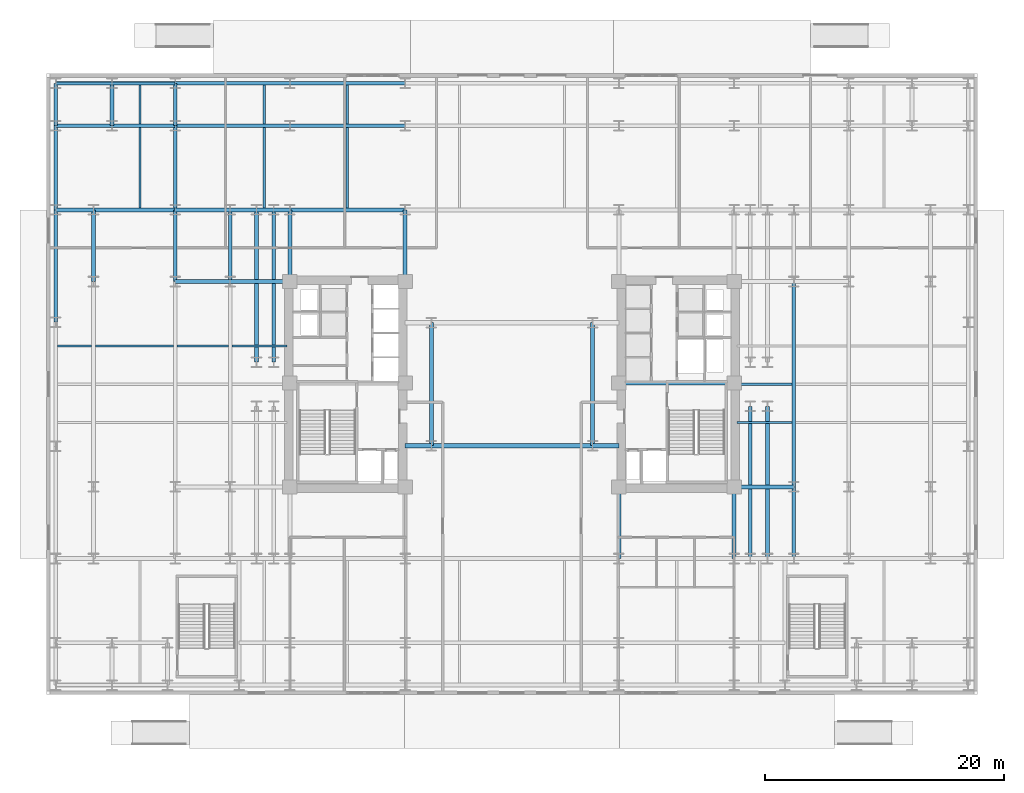
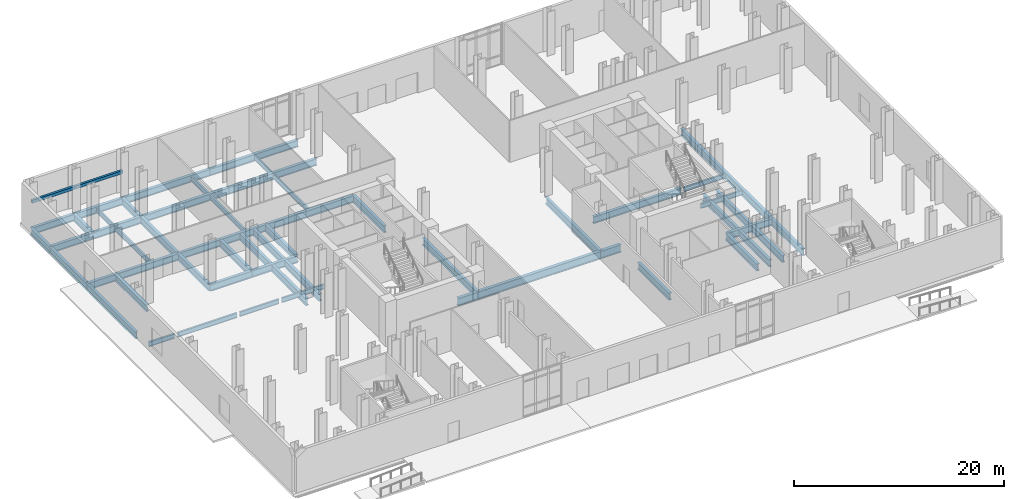
# One storey, part 5 of 21: 55 beams.
"""IFC4 building model written with IfcOpenShell, lengths in metres."""

from ifc_helpers import new_model, si_unit, direction, frame, origin, origin_2d, place, context, subcontext, project, spatial, rectangle, i_section, extrude, material, material_profile, profile_set, type_object, element, save


model = new_model("IFC4")

# Units and contexts
model_context = context("Model", 3, precision=1e-05, world=origin(), true_north=direction((0.0, 1.0)))
body_context = subcontext(model_context, "Body", "Model", "MODEL_VIEW")
ifc_project = project(units=[si_unit("LENGTHUNIT", "METRE"), si_unit("AREAUNIT", "SQUARE_METRE"), si_unit("VOLUMEUNIT", "CUBIC_METRE"), si_unit("PLANEANGLEUNIT", "RADIAN"), si_unit("MASSUNIT", "GRAM", prefix="KILO")], contexts=[model_context])

# Site, building, storey
site_placement = place(None, origin())
site = spatial("IfcSite", under=ifc_project, at=site_placement, CompositionType="ELEMENT")
building_placement = place(site_placement, origin())
building = spatial("IfcBuilding", under=site, at=building_placement, Name="Velakula Bourse", CompositionType="ELEMENT")
storey_placement = place(building_placement, origin())
storey = spatial("IfcBuildingStorey", under=building, at=storey_placement, Name="L00", CompositionType="ELEMENT", Elevation=0.0)

# Beams
ifc_material_1 = material(Name="Steel IS 2062 Grade 350 (E350)", Category="steel")
ifc_material_profile_1 = material_profile(ifc_material_1, i_section(OverallWidth=0.35009765625, OverallDepth=0.89990234375, WebThickness=0.02001953125, FlangeThickness=0.031982421875, at=origin_2d()), Name="Steel IS 2062 Grade 350 (E350)")
ifc_profile_set_1 = profile_set([ifc_material_profile_1], Name="Steel IS 2062 Grade 350 (E350)")
beam_type_1 = type_object("IfcBeamType", Name="BM-LNK-900", PredefinedType="BEAM", material=ifc_profile_set_1)
beam_1_placement = place(storey_placement, frame((-8.949951171875, -5.14990234375, -0.800048828125), z_axis=(1.0, 0.0, 0.0), x_axis=(0.0, 1.0, 0.0)))
element("IfcBeam", 1, at=beam_1_placement, inside=storey, type_object=beam_type_1, Name="L00 Primary Backbone Girder LNK-S1", PredefinedType="BEAM", context=body_context, shape_type="SweptSolid", body=[
    extrude(i_section(OverallWidth=0.35009765625, OverallDepth=0.89990234375, WebThickness=0.02001953125, FlangeThickness=0.031982421875, at=origin_2d()), origin(), (0.0, 0.0, 1.0), 2.199951171875),
])
beam_2_placement = place(storey_placement, frame((-6.75, -5.14990234375, -0.800048828125), z_axis=(1.0, 0.0, 0.0), x_axis=(0.0, 1.0, 0.0)))
element("IfcBeam", 2, at=beam_2_placement, inside=storey, type_object=beam_type_1, Name="L00 Primary Backbone Girder LNK-S2", PredefinedType="BEAM", context=body_context, shape_type="SweptSolid", body=[
    extrude(i_section(OverallWidth=0.35009765625, OverallDepth=0.89990234375, WebThickness=0.02001953125, FlangeThickness=0.031982421875, at=origin_2d()), origin(), (0.0, 0.0, 1.0), 13.5),
])
beam_3_placement = place(storey_placement, frame((6.75, -5.14990234375, -0.800048828125), z_axis=(1.0, 0.0, 0.0), x_axis=(0.0, 1.0, 0.0)))
element("IfcBeam", 3, at=beam_3_placement, inside=storey, type_object=beam_type_1, Name="L00 Primary Backbone Girder LNK-S3", PredefinedType="BEAM", context=body_context, shape_type="SweptSolid", body=[
    extrude(i_section(OverallWidth=0.35009765625, OverallDepth=0.89990234375, WebThickness=0.02001953125, FlangeThickness=0.031982421875, at=origin_2d()), origin(), (0.0, 0.0, 1.0), 2.199951171875),
])
ifc_material_profile_2 = material_profile(ifc_material_1, i_section(OverallWidth=0.320068359375, OverallDepth=0.800048828125, WebThickness=0.01806640625, FlangeThickness=0.028076171875, at=origin_2d()), Name="Steel IS 2062 Grade 350 (E350)")
ifc_profile_set_2 = profile_set([ifc_material_profile_2], Name="Steel IS 2062 Grade 350 (E350)")
beam_type_2 = type_object("IfcBeamType", Name="BM-POD-800", PredefinedType="BEAM", material=ifc_profile_set_2)
beam_4_placement = place(storey_placement, frame((8.949951171875, 0.10009765625, -0.75), z_axis=(1.0, 0.0, 0.0), x_axis=(0.0, 1.0, 0.0)))
element("IfcBeam", 4, at=beam_4_placement, inside=storey, type_object=beam_type_2, Name="L00 Primary Backbone Girder CRE-M", PredefinedType="BEAM", context=body_context, shape_type="SweptSolid", body=[
    extrude(i_section(OverallWidth=0.320068359375, OverallDepth=0.800048828125, WebThickness=0.01806640625, FlangeThickness=0.028076171875, at=origin_2d()), origin(), (0.0, 0.0, 1.0), 9.650146484375),
])
for number, where, z_axis, x_axis, name in (
    (5, (-6.75, -5.14990234375, -0.75), (0.0, 1.0, 0.0), (-1.0, 0.0, 0.0), "L00 Primary Backbone Girder SPN-W"),
    (6, (6.75, -5.14990234375, -0.75), (0.0, 1.0, 0.0), (-1.0, 0.0, 0.0), "L00 Primary Backbone Girder SPN-E"),
):
    element("IfcBeam", number, at=place(storey_placement, frame(where, z_axis=z_axis, x_axis=x_axis)), inside=storey, type_object=beam_type_2, Name=name, PredefinedType="BEAM", context=body_context, shape_type="SweptSolid", body=[
        extrude(i_section(OverallWidth=0.320068359375, OverallDepth=0.800048828125, WebThickness=0.01806640625, FlangeThickness=0.028076171875, at=origin_2d()), origin(), (0.0, 0.0, 1.0), 10.2998046875),
    ])
for number, where, z_axis, x_axis, name in (
    (7, (-18.60009765625, 8.60009765625, -0.75), (0.0, 1.0, 0.0), (-1.0, 0.0, 0.0), "L00 Fulcrum Grid Girder FLC-WN"),
    (8, (-8.949951171875, 8.60009765625, -0.75), (0.0, 1.0, 0.0), (-1.0, 0.0, 0.0), "L00 Fulcrum Grid Girder FLC-WCN"),
    (9, (8.949951171875, -14.60009765625, -0.75), (0.0, 1.0, 0.0), (-1.0, 0.0, 0.0), "L00 Fulcrum Grid Girder FLC-ECS"),
    (10, (18.60009765625, -14.60009765625, -0.75), (0.0, 1.0, 0.0), (-1.0, 0.0, 0.0), "L00 Fulcrum Grid Girder FLC-ES"),
):
    element("IfcBeam", number, at=place(storey_placement, frame(where, z_axis=z_axis, x_axis=x_axis)), inside=storey, type_object=beam_type_2, Name=name, PredefinedType="BEAM", context=body_context, shape_type="SweptSolid", body=[
        extrude(i_section(OverallWidth=0.320068359375, OverallDepth=0.800048828125, WebThickness=0.01806640625, FlangeThickness=0.028076171875, at=origin_2d()), origin(), (0.0, 0.0, 1.0), 6.0),
    ])
beam_5_placement = place(storey_placement, frame((-18.60009765625, 14.60009765625, -0.75), z_axis=(1.0, 0.0, 0.0), x_axis=(0.0, 1.0, 0.0)))
element("IfcBeam", 11, at=beam_5_placement, inside=storey, type_object=beam_type_2, Name="L00 Fulcrum Grid Girder FLC-N1", PredefinedType="BEAM", context=body_context, shape_type="SweptSolid", body=[
    extrude(i_section(OverallWidth=0.320068359375, OverallDepth=0.800048828125, WebThickness=0.01806640625, FlangeThickness=0.028076171875, at=origin_2d()), origin(), (0.0, 0.0, 1.0), 9.650146484375),
])
for number, where, z_axis, x_axis, name in (
    (12, (-21.39990234375, 1.85009765625, -0.75), (0.0, 1.0, 0.0), (-1.0, 0.0, 0.0), "L00 Fulcrum Grid Girder FLC-PNW1"),
    (13, (-19.949951171875, 1.85009765625, -0.75), (0.0, 1.0, 0.0), (-1.0, 0.0, 0.0), "L00 Fulcrum Grid Girder FLC-PNW2"),
    (14, (19.949951171875, -14.60009765625, -0.75), (0.0, 1.0, 0.0), (-1.0, 0.0, 0.0), "L00 Fulcrum Grid Girder FLC-PSE1"),
    (15, (21.39990234375, -14.60009765625, -0.75), (0.0, 1.0, 0.0), (-1.0, 0.0, 0.0), "L00 Fulcrum Grid Girder FLC-PSE2"),
):
    element("IfcBeam", number, at=place(storey_placement, frame(where, z_axis=z_axis, x_axis=x_axis)), inside=storey, type_object=beam_type_2, Name=name, PredefinedType="BEAM", context=body_context, shape_type="SweptSolid", body=[
        extrude(i_section(OverallWidth=0.320068359375, OverallDepth=0.800048828125, WebThickness=0.01806640625, FlangeThickness=0.028076171875, at=origin_2d()), origin(), (0.0, 0.0, 1.0), 12.75),
    ])
for number, where, z_axis, x_axis, name in (
    (16, (-23.60009765625, 8.60009765625, -0.75), (1.0, 0.0, 0.0), (0.0, 1.0, 0.0), "L00 Fulcrum Grid Girder MWG-WN1"),
    (17, (-23.60009765625, 14.60009765625, -0.75), (1.0, 0.0, 0.0), (0.0, 1.0, 0.0), "L00 Fulcrum Grid Girder MWG-WN2"),
):
    element("IfcBeam", number, at=place(storey_placement, frame(where, z_axis=z_axis, x_axis=x_axis)), inside=storey, type_object=beam_type_2, Name=name, PredefinedType="BEAM", context=body_context, shape_type="SweptSolid", body=[
        extrude(i_section(OverallWidth=0.320068359375, OverallDepth=0.800048828125, WebThickness=0.01806640625, FlangeThickness=0.028076171875, at=origin_2d()), origin(), (0.0, 0.0, 1.0), 5.0),
    ])
beam_6_placement = place(storey_placement, frame((-23.60009765625, 8.60009765625, -0.75), z_axis=(0.0, 1.0, 0.0), x_axis=(-1.0, 0.0, 0.0)))
element("IfcBeam", 18, at=beam_6_placement, inside=storey, type_object=beam_type_2, Name="L00 Fulcrum Grid Girder MWG-WNS3", PredefinedType="BEAM", context=body_context, shape_type="SweptSolid", body=[
    extrude(i_section(OverallWidth=0.320068359375, OverallDepth=0.800048828125, WebThickness=0.01806640625, FlangeThickness=0.028076171875, at=origin_2d()), origin(), (0.0, 0.0, 1.0), 6.0),
])
beam_7_placement = place(storey_placement, frame((18.60009765625, -8.60009765625, -0.75), z_axis=(1.0, 0.0, 0.0), x_axis=(0.0, 1.0, 0.0)))
element("IfcBeam", 19, at=beam_7_placement, inside=storey, type_object=beam_type_2, Name="L00 Fulcrum Grid Girder MWG-ES2", PredefinedType="BEAM", context=body_context, shape_type="SweptSolid", body=[
    extrude(i_section(OverallWidth=0.320068359375, OverallDepth=0.800048828125, WebThickness=0.01806640625, FlangeThickness=0.028076171875, at=origin_2d()), origin(), (0.0, 0.0, 1.0), 5.0),
])
beam_8_placement = place(storey_placement, frame((23.60009765625, -14.60009765625, -0.75), z_axis=(0.0, 1.0, 0.0), x_axis=(-1.0, 0.0, 0.0)))
element("IfcBeam", 20, at=beam_8_placement, inside=storey, type_object=beam_type_2, Name="L00 Fulcrum Grid Girder MWG-ENS1", PredefinedType="BEAM", context=body_context, shape_type="SweptSolid", body=[
    extrude(i_section(OverallWidth=0.320068359375, OverallDepth=0.800048828125, WebThickness=0.01806640625, FlangeThickness=0.028076171875, at=origin_2d()), origin(), (0.0, 0.0, 1.0), 6.0),
])
beam_9_placement = place(storey_placement, frame((23.60009765625, -8.60009765625, -0.75), z_axis=(0.0, 1.0, 0.0), x_axis=(-1.0, 0.0, 0.0)))
element("IfcBeam", 21, at=beam_9_placement, inside=storey, type_object=beam_type_2, Name="L00 Fulcrum Grid Girder MWG-ENS2", PredefinedType="BEAM", context=body_context, shape_type="SweptSolid", body=[
    extrude(i_section(OverallWidth=0.320068359375, OverallDepth=0.800048828125, WebThickness=0.01806640625, FlangeThickness=0.028076171875, at=origin_2d()), origin(), (0.0, 0.0, 1.0), 17.2001953125),
])
for number, where, z_axis, x_axis, name in (
    (22, (-28.199951171875, 8.60009765625, -0.75), (1.0, 0.0, 0.0), (0.0, 1.0, 0.0), "L00 Fulcrum Grid Girder WNG-WN1"),
    (23, (-28.199951171875, 14.60009765625, -0.75), (1.0, 0.0, 0.0), (0.0, 1.0, 0.0), "L00 Fulcrum Grid Girder WNG-WN2"),
):
    element("IfcBeam", number, at=place(storey_placement, frame(where, z_axis=z_axis, x_axis=x_axis)), inside=storey, type_object=beam_type_2, Name=name, PredefinedType="BEAM", context=body_context, shape_type="SweptSolid", body=[
        extrude(i_section(OverallWidth=0.320068359375, OverallDepth=0.800048828125, WebThickness=0.01806640625, FlangeThickness=0.028076171875, at=origin_2d()), origin(), (0.0, 0.0, 1.0), 4.599853515625),
    ])
beam_10_placement = place(storey_placement, frame((-28.199951171875, 8.60009765625, -0.75), z_axis=(0.0, 1.0, 0.0), x_axis=(-1.0, 0.0, 0.0)))
element("IfcBeam", 24, at=beam_10_placement, inside=storey, type_object=beam_type_2, Name="L00 Fulcrum Grid Girder WNG-WNS3", PredefinedType="BEAM", context=body_context, shape_type="SweptSolid", body=[
    extrude(i_section(OverallWidth=0.320068359375, OverallDepth=0.800048828125, WebThickness=0.01806640625, FlangeThickness=0.028076171875, at=origin_2d()), origin(), (0.0, 0.0, 1.0), 6.0),
])
beam_11_placement = place(storey_placement, frame((-38.199951171875, 14.60009765625, -0.75), z_axis=(1.0, 0.0, 0.0), x_axis=(0.0, 1.0, 0.0)))
element("IfcBeam", 25, at=beam_11_placement, inside=storey, type_object=beam_type_2, Name="L00 Podium E-W Girder 34", PredefinedType="BEAM", context=body_context, shape_type="SweptSolid", body=[
    extrude(i_section(OverallWidth=0.320068359375, OverallDepth=0.800048828125, WebThickness=0.01806640625, FlangeThickness=0.028076171875, at=origin_2d()), origin(), (0.0, 0.0, 1.0), 3.14990234375),
])
beam_12_placement = place(storey_placement, frame((-35.050048828125, 14.60009765625, -0.75), z_axis=(1.0, 0.0, 0.0), x_axis=(0.0, 1.0, 0.0)))
element("IfcBeam", 26, at=beam_12_placement, inside=storey, type_object=beam_type_2, Name="L00 Podium E-W Girder 35", PredefinedType="BEAM", context=body_context, shape_type="SweptSolid", body=[
    extrude(i_section(OverallWidth=0.320068359375, OverallDepth=0.800048828125, WebThickness=0.01806640625, FlangeThickness=0.028076171875, at=origin_2d()), origin(), (0.0, 0.0, 1.0), 6.85009765625),
])
beam_13_placement = place(storey_placement, frame((-38.199951171875, 21.64990234375, -0.75), z_axis=(1.0, 0.0, 0.0), x_axis=(0.0, 1.0, 0.0)))
element("IfcBeam", 27, at=beam_13_placement, inside=storey, type_object=beam_type_2, Name="L00 Podium E-W Girder 47", PredefinedType="BEAM", context=body_context, shape_type="SweptSolid", body=[
    extrude(i_section(OverallWidth=0.320068359375, OverallDepth=0.800048828125, WebThickness=0.01806640625, FlangeThickness=0.028076171875, at=origin_2d()), origin(), (0.0, 0.0, 1.0), 4.699951171875),
])
beam_14_placement = place(storey_placement, frame((-33.5, 21.64990234375, -0.75), z_axis=(1.0, 0.0, 0.0), x_axis=(0.0, 1.0, 0.0)))
element("IfcBeam", 28, at=beam_14_placement, inside=storey, type_object=beam_type_2, Name="L00 Podium E-W Girder 48", PredefinedType="BEAM", context=body_context, shape_type="SweptSolid", body=[
    extrude(i_section(OverallWidth=0.320068359375, OverallDepth=0.800048828125, WebThickness=0.01806640625, FlangeThickness=0.028076171875, at=origin_2d()), origin(), (0.0, 0.0, 1.0), 5.300048828125),
])
beam_15_placement = place(storey_placement, frame((-28.199951171875, 21.64990234375, -0.75), z_axis=(1.0, 0.0, 0.0), x_axis=(0.0, 1.0, 0.0)))
element("IfcBeam", 29, at=beam_15_placement, inside=storey, type_object=beam_type_2, Name="L00 Podium E-W Girder 49", PredefinedType="BEAM", context=body_context, shape_type="SweptSolid", body=[
    extrude(i_section(OverallWidth=0.320068359375, OverallDepth=0.800048828125, WebThickness=0.01806640625, FlangeThickness=0.028076171875, at=origin_2d()), origin(), (0.0, 0.0, 1.0), 9.599853515625),
])
beam_16_placement = place(storey_placement, frame((-18.60009765625, 21.64990234375, -0.75), z_axis=(1.0, 0.0, 0.0), x_axis=(0.0, 1.0, 0.0)))
element("IfcBeam", 30, at=beam_16_placement, inside=storey, type_object=beam_type_2, Name="L00 Podium E-W Girder 50", PredefinedType="BEAM", context=body_context, shape_type="SweptSolid", body=[
    extrude(i_section(OverallWidth=0.320068359375, OverallDepth=0.800048828125, WebThickness=0.01806640625, FlangeThickness=0.028076171875, at=origin_2d()), origin(), (0.0, 0.0, 1.0), 9.650146484375),
])
beam_17_placement = place(storey_placement, frame((-38.199951171875, 25.199951171875, -0.75), z_axis=(1.0, 0.0, 0.0), x_axis=(0.0, 1.0, 0.0)))
element("IfcBeam", 31, at=beam_17_placement, inside=storey, type_object=beam_type_2, Name="L00 Podium E-W Girder 56", PredefinedType="BEAM", context=body_context, shape_type="SweptSolid", body=[
    extrude(i_section(OverallWidth=0.320068359375, OverallDepth=0.800048828125, WebThickness=0.01806640625, FlangeThickness=0.028076171875, at=origin_2d()), origin(), (0.0, 0.0, 1.0), 4.699951171875),
])
beam_18_placement = place(storey_placement, frame((-33.5, 25.199951171875, -0.75), z_axis=(1.0, 0.0, 0.0), x_axis=(0.0, 1.0, 0.0)))
element("IfcBeam", 32, at=beam_18_placement, inside=storey, type_object=beam_type_2, Name="L00 Podium E-W Girder 57", PredefinedType="BEAM", context=body_context, shape_type="SweptSolid", body=[
    extrude(i_section(OverallWidth=0.320068359375, OverallDepth=0.800048828125, WebThickness=0.01806640625, FlangeThickness=0.028076171875, at=origin_2d()), origin(), (0.0, 0.0, 1.0), 5.300048828125),
])
beam_19_placement = place(storey_placement, frame((-28.199951171875, 25.199951171875, -0.75), z_axis=(1.0, 0.0, 0.0), x_axis=(0.0, 1.0, 0.0)))
element("IfcBeam", 33, at=beam_19_placement, inside=storey, type_object=beam_type_2, Name="L00 Podium E-W Girder 58", PredefinedType="BEAM", context=body_context, shape_type="SweptSolid", body=[
    extrude(i_section(OverallWidth=0.320068359375, OverallDepth=0.800048828125, WebThickness=0.01806640625, FlangeThickness=0.028076171875, at=origin_2d()), origin(), (0.0, 0.0, 1.0), 9.599853515625),
])
beam_20_placement = place(storey_placement, frame((-18.60009765625, 25.199951171875, -0.75), z_axis=(1.0, 0.0, 0.0), x_axis=(0.0, 1.0, 0.0)))
element("IfcBeam", 34, at=beam_20_placement, inside=storey, type_object=beam_type_2, Name="L00 Podium E-W Girder 59", PredefinedType="BEAM", context=body_context, shape_type="SweptSolid", body=[
    extrude(i_section(OverallWidth=0.320068359375, OverallDepth=0.800048828125, WebThickness=0.01806640625, FlangeThickness=0.028076171875, at=origin_2d()), origin(), (0.0, 0.0, 1.0), 9.650146484375),
])
beam_21_placement = place(storey_placement, frame((-38.199951171875, 5.199951171875, -0.75), z_axis=(0.0, 1.0, 0.0), x_axis=(-1.0, 0.0, 0.0)))
element("IfcBeam", 35, at=beam_21_placement, inside=storey, type_object=beam_type_2, Name="L00 Podium N-S Girder 69", PredefinedType="BEAM", context=body_context, shape_type="SweptSolid", body=[
    extrude(i_section(OverallWidth=0.320068359375, OverallDepth=0.800048828125, WebThickness=0.01806640625, FlangeThickness=0.028076171875, at=origin_2d()), origin(), (0.0, 0.0, 1.0), 9.400146484375),
])
beam_22_placement = place(storey_placement, frame((-38.199951171875, 14.60009765625, -0.75), z_axis=(0.0, 1.0, 0.0), x_axis=(-1.0, 0.0, 0.0)))
element("IfcBeam", 36, at=beam_22_placement, inside=storey, type_object=beam_type_2, Name="L00 Podium N-S Girder 70", PredefinedType="BEAM", context=body_context, shape_type="SweptSolid", body=[
    extrude(i_section(OverallWidth=0.320068359375, OverallDepth=0.800048828125, WebThickness=0.01806640625, FlangeThickness=0.028076171875, at=origin_2d()), origin(), (0.0, 0.0, 1.0), 7.0498046875),
])
beam_23_placement = place(storey_placement, frame((-38.199951171875, 21.64990234375, -0.75), z_axis=(0.0, 1.0, 0.0), x_axis=(-1.0, 0.0, 0.0)))
element("IfcBeam", 37, at=beam_23_placement, inside=storey, type_object=beam_type_2, Name="L00 Podium N-S Girder 71", PredefinedType="BEAM", context=body_context, shape_type="SweptSolid", body=[
    extrude(i_section(OverallWidth=0.320068359375, OverallDepth=0.800048828125, WebThickness=0.01806640625, FlangeThickness=0.028076171875, at=origin_2d()), origin(), (0.0, 0.0, 1.0), 3.550048828125),
])
beam_24_placement = place(storey_placement, frame((-35.050048828125, 8.60009765625, -0.75), z_axis=(0.0, 1.0, 0.0), x_axis=(-1.0, 0.0, 0.0)))
element("IfcBeam", 38, at=beam_24_placement, inside=storey, type_object=beam_type_2, Name="L00 Podium N-S Girder 74", PredefinedType="BEAM", context=body_context, shape_type="SweptSolid", body=[
    extrude(i_section(OverallWidth=0.320068359375, OverallDepth=0.800048828125, WebThickness=0.01806640625, FlangeThickness=0.028076171875, at=origin_2d()), origin(), (0.0, 0.0, 1.0), 6.0),
])
beam_25_placement = place(storey_placement, frame((-28.199951171875, 14.60009765625, -0.75), z_axis=(0.0, 1.0, 0.0), x_axis=(-1.0, 0.0, 0.0)))
element("IfcBeam", 39, at=beam_25_placement, inside=storey, type_object=beam_type_2, Name="L00 Podium N-S Girder 80", PredefinedType="BEAM", context=body_context, shape_type="SweptSolid", body=[
    extrude(i_section(OverallWidth=0.320068359375, OverallDepth=0.800048828125, WebThickness=0.01806640625, FlangeThickness=0.028076171875, at=origin_2d()), origin(), (0.0, 0.0, 1.0), 7.0498046875),
])
for number, where, z_axis, x_axis, name in (
    (40, (-28.199951171875, 21.64990234375, -0.75), (0.0, 1.0, 0.0), (-1.0, 0.0, 0.0), "L00 Podium N-S Girder 81"),
    (41, (-33.5, 21.64990234375, -0.75), (0.0, 1.0, 0.0), (-1.0, 0.0, 0.0), "L00 Podium N-S Girder 99"),
):
    element("IfcBeam", number, at=place(storey_placement, frame(where, z_axis=z_axis, x_axis=x_axis)), inside=storey, type_object=beam_type_2, Name=name, PredefinedType="BEAM", context=body_context, shape_type="SweptSolid", body=[
        extrude(i_section(OverallWidth=0.320068359375, OverallDepth=0.800048828125, WebThickness=0.01806640625, FlangeThickness=0.028076171875, at=origin_2d()), origin(), (0.0, 0.0, 1.0), 3.550048828125),
    ])
ifc_material_profile_3 = material_profile(ifc_material_1, i_section(OverallWidth=0.18994140625, OverallDepth=0.550048828125, WebThickness=0.01123046875, FlangeThickness=0.019287109375, at=origin_2d()), Name="Steel IS 2062 Grade 350 (E350)")
ifc_profile_set_3 = profile_set([ifc_material_profile_3], Name="Steel IS 2062 Grade 350 (E350)")
beam_type_3 = type_object("IfcBeamType", Name="JST-POD-550", PredefinedType="JOIST", material=ifc_profile_set_3)
beam_26_placement = place(storey_placement, frame((-31.14990234375, 14.760009765625, -0.625), z_axis=(0.0, 1.0, 0.0), x_axis=(-1.0, 0.0, 0.0)))
element("IfcBeam", 42, at=beam_26_placement, inside=storey, type_object=beam_type_3, Name="L00 Station Podium Floor Joist 03", PredefinedType="JOIST", context=body_context, shape_type="SweptSolid", body=[
    extrude(i_section(OverallWidth=0.18994140625, OverallDepth=0.550048828125, WebThickness=0.01123046875, FlangeThickness=0.019287109375, at=origin_2d()), origin(), (0.0, 0.0, 1.0), 6.72998046875),
])
beam_27_placement = place(storey_placement, frame((-31.14990234375, 21.81005859375, -0.625), z_axis=(0.0, 1.0, 0.0), x_axis=(-1.0, 0.0, 0.0)))
element("IfcBeam", 43, at=beam_27_placement, inside=storey, type_object=beam_type_3, Name="L00 Station Podium Floor Joist 04", PredefinedType="JOIST", context=body_context, shape_type="SweptSolid", body=[
    extrude(i_section(OverallWidth=0.18994140625, OverallDepth=0.550048828125, WebThickness=0.01123046875, FlangeThickness=0.019287109375, at=origin_2d()), origin(), (0.0, 0.0, 1.0), 3.22998046875),
])
beam_28_placement = place(storey_placement, frame((-20.75, 14.760009765625, -0.625), z_axis=(0.0, 1.0, 0.0), x_axis=(-1.0, 0.0, 0.0)))
element("IfcBeam", 44, at=beam_28_placement, inside=storey, type_object=beam_type_3, Name="L00 Station Podium Floor Joist 07", PredefinedType="JOIST", context=body_context, shape_type="SweptSolid", body=[
    extrude(i_section(OverallWidth=0.18994140625, OverallDepth=0.550048828125, WebThickness=0.01123046875, FlangeThickness=0.019287109375, at=origin_2d()), origin(), (0.0, 0.0, 1.0), 6.72998046875),
])
beam_29_placement = place(storey_placement, frame((-20.75, 21.81005859375, -0.625), z_axis=(0.0, 1.0, 0.0), x_axis=(-1.0, 0.0, 0.0)))
element("IfcBeam", 45, at=beam_29_placement, inside=storey, type_object=beam_type_3, Name="L00 Station Podium Floor Joist 08", PredefinedType="JOIST", context=body_context, shape_type="SweptSolid", body=[
    extrude(i_section(OverallWidth=0.18994140625, OverallDepth=0.550048828125, WebThickness=0.01123046875, FlangeThickness=0.019287109375, at=origin_2d()), origin(), (0.0, 0.0, 1.0), 3.22998046875),
])
beam_30_placement = place(storey_placement, frame((-13.800048828125, 14.760009765625, -0.625), z_axis=(0.0, 1.0, 0.0), x_axis=(-1.0, 0.0, 0.0)))
element("IfcBeam", 46, at=beam_30_placement, inside=storey, type_object=beam_type_3, Name="L00 Station Podium Floor Joist 11", PredefinedType="JOIST", context=body_context, shape_type="SweptSolid", body=[
    extrude(i_section(OverallWidth=0.18994140625, OverallDepth=0.550048828125, WebThickness=0.01123046875, FlangeThickness=0.019287109375, at=origin_2d()), origin(), (0.0, 0.0, 1.0), 6.72998046875),
])
beam_31_placement = place(storey_placement, frame((-13.800048828125, 21.81005859375, -0.625), z_axis=(0.0, 1.0, 0.0), x_axis=(-1.0, 0.0, 0.0)))
element("IfcBeam", 47, at=beam_31_placement, inside=storey, type_object=beam_type_3, Name="L00 Station Podium Floor Joist 12", PredefinedType="JOIST", context=body_context, shape_type="SweptSolid", body=[
    extrude(i_section(OverallWidth=0.18994140625, OverallDepth=0.550048828125, WebThickness=0.01123046875, FlangeThickness=0.019287109375, at=origin_2d()), origin(), (0.0, 0.0, 1.0), 3.22998046875),
])
for number, where, z_axis, x_axis, name in (
    (48, (18.85009765625, -3.199951171875, -0.625), (1.0, 0.0, 0.0), (0.0, 1.0, 0.0), "L00 Station Wing Floor Joist 37"),
    (49, (18.85009765625, 0.0, -0.625), (1.0, 0.0, 0.0), (0.0, 1.0, 0.0), "L00 Station Wing Floor Joist 45"),
):
    element("IfcBeam", number, at=place(storey_placement, frame(where, z_axis=z_axis, x_axis=x_axis)), inside=storey, type_object=beam_type_3, Name=name, PredefinedType="JOIST", context=body_context, shape_type="SweptSolid", body=[
        extrude(i_section(OverallWidth=0.18994140625, OverallDepth=0.550048828125, WebThickness=0.01123046875, FlangeThickness=0.019287109375, at=origin_2d()), origin(), (0.0, 0.0, 1.0), 4.58984375),
    ])
beam_32_placement = place(storey_placement, frame((-38.0400390625, 3.199951171875, -0.625), z_axis=(1.0, 0.0, 0.0), x_axis=(0.0, 1.0, 0.0)))
element("IfcBeam", 50, at=beam_32_placement, inside=storey, type_object=beam_type_3, Name="L00 Station Wing Floor Joist 49", PredefinedType="JOIST", context=body_context, shape_type="SweptSolid", body=[
    extrude(i_section(OverallWidth=0.18994140625, OverallDepth=0.550048828125, WebThickness=0.01123046875, FlangeThickness=0.019287109375, at=origin_2d()), origin(), (0.0, 0.0, 1.0), 2.830078125),
])
beam_33_placement = place(storey_placement, frame((-34.889892578125, 3.199951171875, -0.625), z_axis=(1.0, 0.0, 0.0), x_axis=(0.0, 1.0, 0.0)))
element("IfcBeam", 51, at=beam_33_placement, inside=storey, type_object=beam_type_3, Name="L00 Station Wing Floor Joist 50", PredefinedType="JOIST", context=body_context, shape_type="SweptSolid", body=[
    extrude(i_section(OverallWidth=0.18994140625, OverallDepth=0.550048828125, WebThickness=0.01123046875, FlangeThickness=0.019287109375, at=origin_2d()), origin(), (0.0, 0.0, 1.0), 6.52978515625),
])
beam_34_placement = place(storey_placement, frame((-28.0400390625, 3.199951171875, -0.625), z_axis=(1.0, 0.0, 0.0), x_axis=(0.0, 1.0, 0.0)))
element("IfcBeam", 52, at=beam_34_placement, inside=storey, type_object=beam_type_3, Name="L00 Station Wing Floor Joist 51", PredefinedType="JOIST", context=body_context, shape_type="SweptSolid", body=[
    extrude(i_section(OverallWidth=0.18994140625, OverallDepth=0.550048828125, WebThickness=0.01123046875, FlangeThickness=0.019287109375, at=origin_2d()), origin(), (0.0, 0.0, 1.0), 4.280029296875),
])
beam_35_placement = place(storey_placement, frame((-23.43994140625, 3.199951171875, -0.625), z_axis=(1.0, 0.0, 0.0), x_axis=(0.0, 1.0, 0.0)))
element("IfcBeam", 53, at=beam_35_placement, inside=storey, type_object=beam_type_3, Name="L00 Station Wing Floor Joist 52", PredefinedType="JOIST", context=body_context, shape_type="SweptSolid", body=[
    extrude(i_section(OverallWidth=0.18994140625, OverallDepth=0.550048828125, WebThickness=0.01123046875, FlangeThickness=0.019287109375, at=origin_2d()), origin(), (0.0, 0.0, 1.0), 4.58984375),
])
ifc_material_2 = material(Name="Precast concrete M45 (fck 45 MPa)", Category="concrete")
ifc_material_profile_4 = material_profile(ifc_material_2, rectangle(XDim=0.25, YDim=0.35009765625, at=origin_2d()), Name="Precast concrete M45 (fck 45 MPa)")
ifc_profile_set_4 = profile_set([ifc_material_profile_4], Name="Precast concrete M45 (fck 45 MPa)")
beam_type_4 = type_object("IfcBeamType", Name="LIN-PC-350", PredefinedType="LINTEL", material=ifc_profile_set_4)
beam_36_placement = place(storey_placement, frame((-38.199951171875, 25.199951171875, 2.64990234375), z_axis=(1.0, 0.0, 0.0), x_axis=(0.0, 1.0, 0.0)))
element("IfcBeam", 54, at=beam_36_placement, inside=storey, type_object=beam_type_4, Name="L00 Station Masonry Portal Precast Lintel N1", PredefinedType="LINTEL", context=body_context, shape_type="SweptSolid", body=[
    extrude(rectangle(XDim=0.25, YDim=0.35009765625, at=origin_2d()), origin(), (0.0, 0.0, 1.0), 4.699951171875),
])
beam_37_placement = place(storey_placement, frame((-33.5, 25.199951171875, 2.64990234375), z_axis=(1.0, 0.0, 0.0), x_axis=(0.0, 1.0, 0.0)))
element("IfcBeam", 55, at=beam_37_placement, inside=storey, type_object=beam_type_4, Name="L00 Station Masonry Portal Precast Lintel N2", PredefinedType="LINTEL", context=body_context, shape_type="SweptSolid", body=[
    extrude(rectangle(XDim=0.25, YDim=0.35009765625, at=origin_2d()), origin(), (0.0, 0.0, 1.0), 5.300048828125),
])

save(model, "model.ifc")
